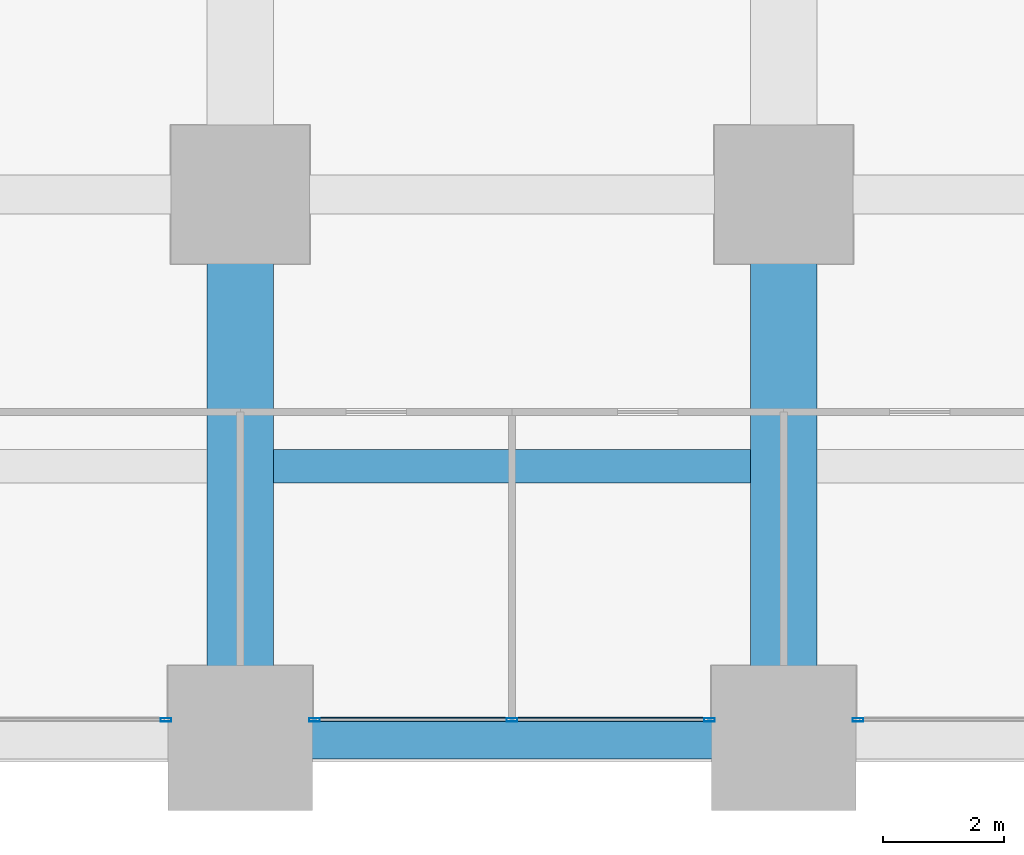
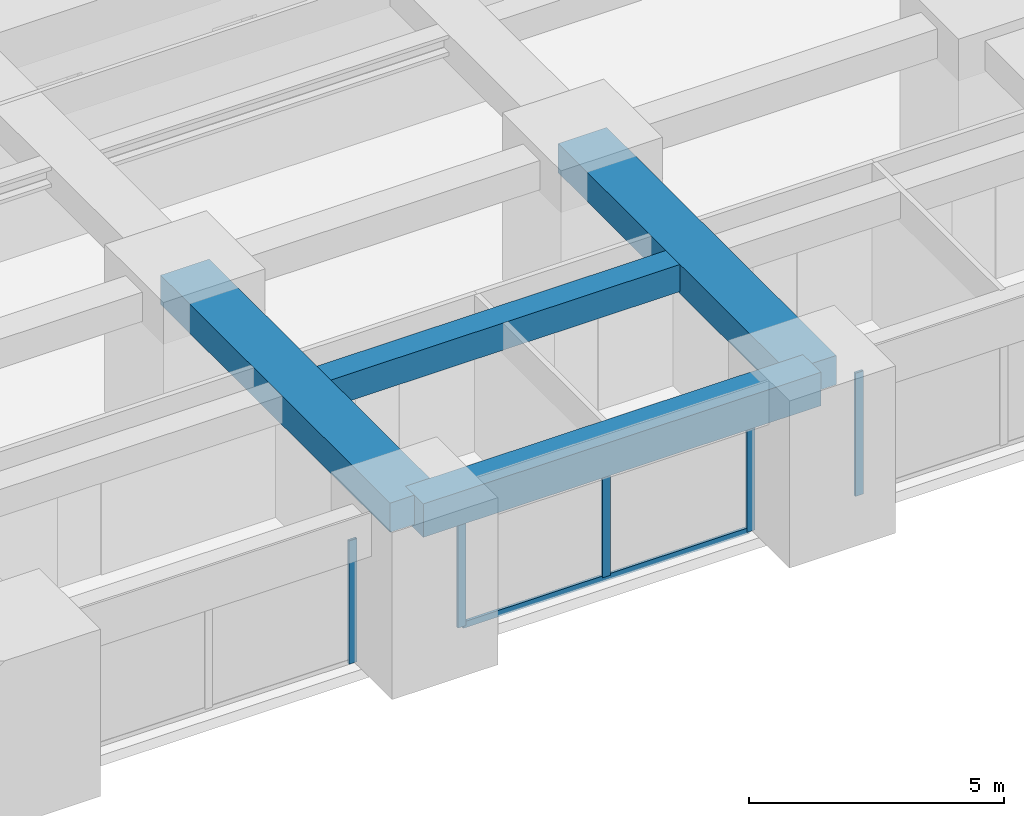
# One storey, part 13 of 45: 6 members, 4 beams, 3 elements without a shape of their own.
"""IFC4 building model written with IfcOpenShell, lengths in metres."""

from ifc_helpers import new_model, si_unit, direction, frame, origin, origin_2d, place, context, subcontext, project, spatial, rectangle, hollow_rectangle, extrude, material, material_profile, profile_set, type_object, element, aggregate, save


model = new_model("IFC4")

# Units and contexts
model_context = context("Model", 3, precision=1e-05, world=origin(), true_north=direction((0.0, 1.0)))
body_context = subcontext(model_context, "Body", "Model", "MODEL_VIEW")
ifc_project = project(units=[si_unit("LENGTHUNIT", "METRE"), si_unit("AREAUNIT", "SQUARE_METRE"), si_unit("VOLUMEUNIT", "CUBIC_METRE"), si_unit("PLANEANGLEUNIT", "RADIAN"), si_unit("MASSUNIT", "GRAM", prefix="KILO")], contexts=[model_context])

# Site, building, storey
site_placement = place(None, origin())
site = spatial("IfcSite", under=ifc_project, at=site_placement, CompositionType="ELEMENT")
building_placement = place(site_placement, origin())
building = spatial("IfcBuilding", under=site, at=building_placement, Name="Zorevar Civic Tower", CompositionType="ELEMENT")
storey_placement = place(building_placement, frame((0.0, 0.0, 39.800048828125)))
storey = spatial("IfcBuildingStorey", under=building, at=storey_placement, Name="L09", CompositionType="ELEMENT", Elevation=39.800048828125)

# Beams
ifc_material_1 = material(Name="Concrete C50/60", Category="concrete")
ifc_material_profile_1 = material_profile(ifc_material_1, rectangle(XDim=1.10009765625, YDim=0.699951171875, at=origin_2d()), Name="RC 1100x700")
ifc_profile_set_1 = profile_set([ifc_material_profile_1], Name="Concrete C50/60")
beam_type_1 = type_object("IfcBeamType", Name="Beam RC 1100x700", PredefinedType="BEAM", material=ifc_profile_set_1)
for number, where, z_axis, x_axis, name in (
    (1, (36.0, 0.0, 3.39990234375), (0.0, 1.0, 0.0), (-1.0, 0.0, 0.0), "Girder L10"),
    (2, (45.0, 0.0, 3.39990234375), (0.0, 1.0, 0.0), (-1.0, 0.0, 0.0), "Girder L10"),
):
    element("IfcBeam", number, at=place(storey_placement, frame(where, z_axis=z_axis, x_axis=x_axis)), inside=storey, type_object=beam_type_1, Name=name, PredefinedType="BEAM", context=body_context, shape_type="SweptSolid", body=[
        extrude(rectangle(XDim=1.10009765625, YDim=0.699951171875, at=origin_2d()), origin(), (0.0, 0.0, 1.0), 9.0),
    ])
ifc_material_2 = material(Name="Concrete C50/60", Category="concrete")
ifc_material_profile_2 = material_profile(ifc_material_2, rectangle(XDim=0.550048828125, YDim=0.64990234375, at=origin_2d()), Name="RC 550x650")
ifc_profile_set_2 = profile_set([ifc_material_profile_2], Name="Concrete C50/60")
beam_type_2 = type_object("IfcBeamType", Name="Beam RC 550x650", PredefinedType="BEAM", material=ifc_profile_set_2)
beam_1_placement = place(storey_placement, frame((36.550048828125, 4.5, 3.425048828125), z_axis=(1.0, 0.0, 0.0), x_axis=(0.0, 1.0, 0.0)))
element("IfcBeam", 3, at=beam_1_placement, inside=storey, type_object=beam_type_2, Name="Secondary beam L10", PredefinedType="BEAM", context=body_context, shape_type="SweptSolid", body=[
    extrude(rectangle(XDim=0.550048828125, YDim=0.64990234375, at=origin_2d()), origin(), (0.0, 0.0, 1.0), 7.89990234375),
])

# Curtain wall, member
ifc_material_3 = material(Name="Dark grey solar-control glass in black aluminium frame", Category="aluminium")
curtain_wall_type = type_object("IfcCurtainWallType", Name="Curtain wall CW2 low zone", PredefinedType="NOTDEFINED", material=ifc_material_3)
curtain_wall_1_placement = place(storey_placement, origin())
curtain_wall_1 = element("IfcCurtainWall", 4, at=curtain_wall_1_placement, inside=storey, type_object=curtain_wall_type, Name="CW2 L09", PredefinedType="NOTDEFINED")
ifc_material_4 = material(Name="Aluminium, black anodised", Category="aluminium")
ifc_material_profile_3 = material_profile(ifc_material_4, hollow_rectangle(XDim=0.06005859375, YDim=0.179931640625, WallThickness=0.00390625, at=origin_2d()), Name="AL 180x60x4")
ifc_profile_set_3 = profile_set([ifc_material_profile_3], Name="Aluminium, black anodised")
member_type_1 = type_object("IfcMemberType", Name="CW2 mullion AL 180x60x4", PredefinedType="MULLION", material=ifc_profile_set_3)
member_1_placement = place(storey_placement, frame((34.77001953125, 0.300048828125, 0.0), z_axis=(0.0, 0.0, 1.0), x_axis=(0.0, 1.0, 0.0)))
member_1 = element("IfcMember", 5, at=member_1_placement, type_object=member_type_1, Name="CW2 mullion 3", PredefinedType="MULLION", context=body_context, shape_type="SweptSolid", body=[
    extrude(hollow_rectangle(XDim=0.06005859375, YDim=0.179931640625, WallThickness=0.00390625, at=origin_2d()), origin(), (0.0, 0.0, 1.0), 2.949951171875),
])
aggregate(curtain_wall_1, [member_1])

# Curtain wall, members
curtain_wall_2_placement = place(storey_placement, origin())
curtain_wall_2 = element("IfcCurtainWall", 6, at=curtain_wall_2_placement, inside=storey, type_object=curtain_wall_type, Name="CW2 L09", PredefinedType="NOTDEFINED")
member_2_placement = place(storey_placement, frame((37.22998046875, 0.300048828125, 0.0), z_axis=(0.0, 0.0, 1.0), x_axis=(0.0, 1.0, 0.0)))
member_2 = element("IfcMember", 7, at=member_2_placement, type_object=member_type_1, Name="CW2 mullion 1", PredefinedType="MULLION", context=body_context, shape_type="SweptSolid", body=[
    extrude(hollow_rectangle(XDim=0.06005859375, YDim=0.179931640625, WallThickness=0.00390625, at=origin_2d()), origin(), (0.0, 0.0, 1.0), 2.949951171875),
])
member_3_placement = place(storey_placement, frame((40.5, 0.300048828125, 0.06005859375), z_axis=(0.0, 0.0, 1.0), x_axis=(0.0, 1.0, 0.0)))
member_3 = element("IfcMember", 8, at=member_3_placement, type_object=member_type_1, Name="CW2 mullion 2", PredefinedType="MULLION", context=body_context, shape_type="SweptSolid", body=[
    extrude(hollow_rectangle(XDim=0.06005859375, YDim=0.179931640625, WallThickness=0.00390625, at=origin_2d()), origin(), (0.0, 0.0, 1.0), 2.889892578125),
])
member_4_placement = place(storey_placement, frame((43.77001953125, 0.300048828125, 0.0), z_axis=(0.0, 0.0, 1.0), x_axis=(0.0, 1.0, 0.0)))
member_4 = element("IfcMember", 9, at=member_4_placement, type_object=member_type_1, Name="CW2 mullion 3", PredefinedType="MULLION", context=body_context, shape_type="SweptSolid", body=[
    extrude(hollow_rectangle(XDim=0.06005859375, YDim=0.179931640625, WallThickness=0.00390625, at=origin_2d()), origin(), (0.0, 0.0, 1.0), 2.949951171875),
])

# Curtain wall, member
curtain_wall_3_placement = place(storey_placement, origin())
curtain_wall_3 = element("IfcCurtainWall", 10, at=curtain_wall_3_placement, inside=storey, type_object=curtain_wall_type, Name="CW2 L09", PredefinedType="NOTDEFINED")
member_5_placement = place(storey_placement, frame((46.22998046875, 0.300048828125, 0.0), z_axis=(0.0, 0.0, 1.0), x_axis=(0.0, 1.0, 0.0)))
member_5 = element("IfcMember", 11, at=member_5_placement, type_object=member_type_1, Name="CW2 mullion 1", PredefinedType="MULLION", context=body_context, shape_type="SweptSolid", body=[
    extrude(hollow_rectangle(XDim=0.06005859375, YDim=0.179931640625, WallThickness=0.00390625, at=origin_2d()), origin(), (0.0, 0.0, 1.0), 2.949951171875),
])
aggregate(curtain_wall_3, [member_5])

# Member
ifc_material_5 = material(Name="Aluminium, black anodised", Category="aluminium")
ifc_material_profile_4 = material_profile(ifc_material_5, hollow_rectangle(XDim=0.06005859375, YDim=0.14990234375, WallThickness=0.00390625, at=origin_2d()), Name="AL 150x60x4")
ifc_profile_set_4 = profile_set([ifc_material_profile_4], Name="Aluminium, black anodised")
member_type_2 = type_object("IfcMemberType", Name="CW2 transom AL 150x60x4", PredefinedType="USERDEFINED", material=ifc_profile_set_4)
member_6_placement = place(storey_placement, frame((37.260009765625, 0.300048828125, 0.030029296875), z_axis=(1.0, 0.0, 0.0), x_axis=(0.0, 1.0, 0.0)))
member_6 = element("IfcMember", 12, at=member_6_placement, type_object=member_type_2, Name="CW2 sill transom", ObjectType="TRANSOM", PredefinedType="USERDEFINED", context=body_context, shape_type="SweptSolid", body=[
    extrude(hollow_rectangle(XDim=0.06005859375, YDim=0.14990234375, WallThickness=0.00390625, at=origin_2d()), origin(), (0.0, 0.0, 1.0), 6.47998046875),
])

aggregate(curtain_wall_2, [member_2, member_3, member_4, member_6])

# Beam
ifc_material_6 = material(Name="Concrete C50/60", Category="concrete")
ifc_material_profile_5 = material_profile(ifc_material_6, rectangle(XDim=0.699951171875, YDim=0.800048828125, at=origin_2d()), Name="RC 700x800")
ifc_profile_set_5 = profile_set([ifc_material_profile_5], Name="Concrete C50/60")
beam_type_3 = type_object("IfcBeamType", Name="Edge beam RC 700x800", PredefinedType="SPANDREL", material=ifc_profile_set_5)
beam_2_placement = place(storey_placement, frame((36.0, 0.0, 3.349853515625), z_axis=(1.0, 0.0, 0.0), x_axis=(0.0, 1.0, 0.0)))
element("IfcBeam", 13, at=beam_2_placement, inside=storey, type_object=beam_type_3, Name="Edge beam L10", PredefinedType="SPANDREL", context=body_context, shape_type="SweptSolid", body=[
    extrude(rectangle(XDim=0.699951171875, YDim=0.800048828125, at=origin_2d()), origin(), (0.0, 0.0, 1.0), 9.0),
])

save(model, "model.ifc")
